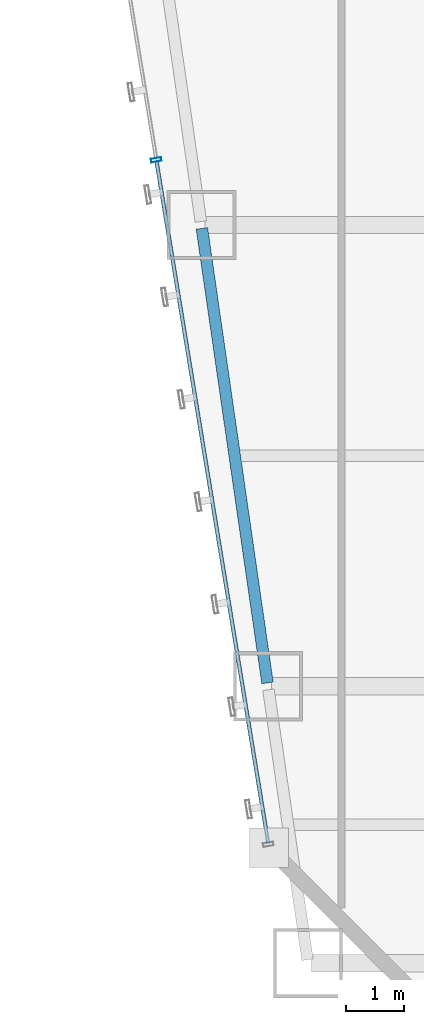
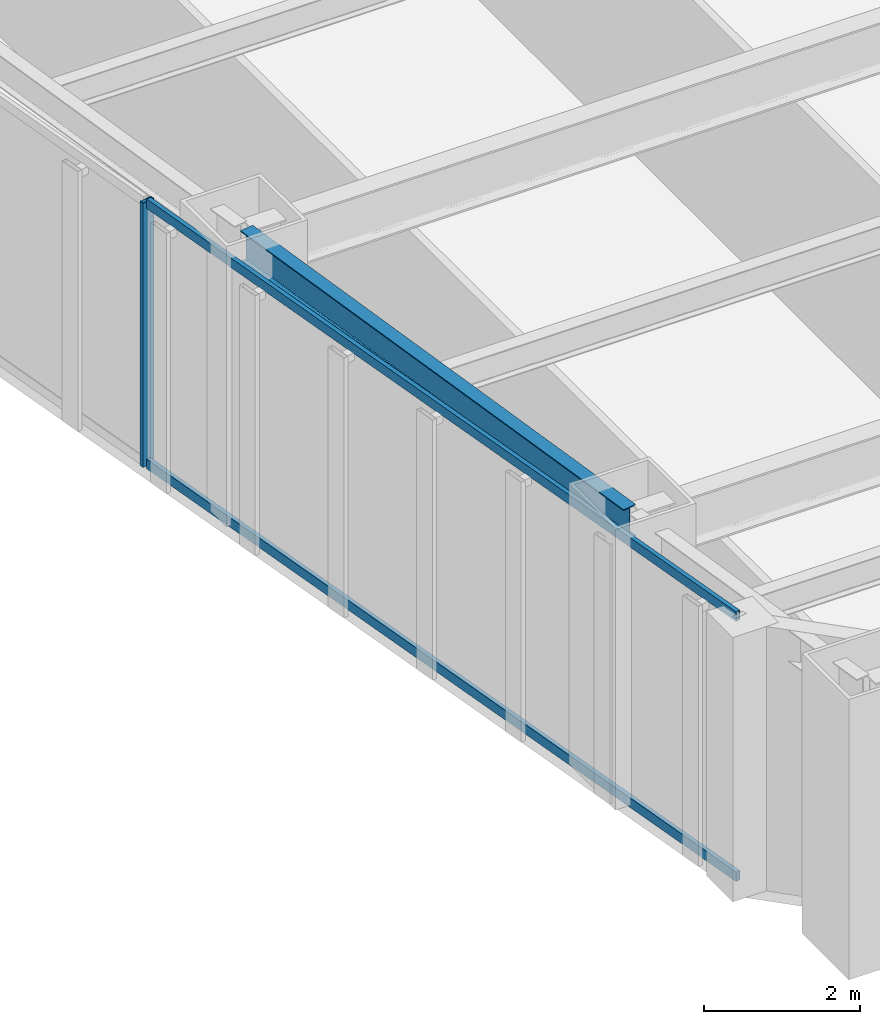
# One storey, part 5 of 47: 3 members, 1 beam, 1 element without a shape of its own.
"""IFC4 building model written with IfcOpenShell, lengths in metres."""

from ifc_helpers import new_model, si_unit, direction, frame, origin, origin_2d, place, context, subcontext, project, spatial, hollow_rectangle, i_section, extrude, material, material_profile, profile_set, type_object, element, aggregate, save


model = new_model("IFC4")

# Units and contexts
model_context = context("Model", 3, precision=1e-05, world=origin(), true_north=direction((0.0, 1.0)))
body_context = subcontext(model_context, "Body", "Model", "MODEL_VIEW")
ifc_project = project(units=[si_unit("LENGTHUNIT", "METRE"), si_unit("AREAUNIT", "SQUARE_METRE"), si_unit("VOLUMEUNIT", "CUBIC_METRE"), si_unit("PLANEANGLEUNIT", "RADIAN"), si_unit("MASSUNIT", "GRAM", prefix="KILO")], contexts=[model_context])

# Site, building, storey
site_placement = place(None, origin())
site = spatial("IfcSite", under=ifc_project, at=site_placement, CompositionType="ELEMENT")
building_placement = place(site_placement, origin())
building = spatial("IfcBuilding", under=site, at=building_placement, Name="Saevonmaru Cultural Tower", CompositionType="ELEMENT")
storey_placement = place(building_placement, frame((0.0, 0.0, 47.199951171875)))
storey = spatial("IfcBuildingStorey", under=building, at=storey_placement, Name="L09", CompositionType="ELEMENT", Elevation=47.199951171875)

# Beam
ifc_material_1 = material(Name="Steel SM355", Category="steel")
ifc_material_profile_1 = material_profile(ifc_material_1, i_section(OverallWidth=0.199951171875, OverallDepth=0.5, WebThickness=0.010009765625, FlangeThickness=0.01611328125, FilletRadius=0.02001953125, at=origin_2d()), Name="H-500x200x10x16")
ifc_profile_set_1 = profile_set([ifc_material_profile_1], Name="Steel SM355")
beam_type = type_object("IfcBeamType", Name="BM-SP-H500", PredefinedType="SPANDREL", material=ifc_profile_set_1)
beam_placement = place(storey_placement, frame((11.7744140625, 8.059326171875, 3.900146484375), z_axis=(-0.142871999001, 0.989741174197, 0.0), x_axis=(-0.989741174197, -0.142871999001, 0.0)))
element("IfcBeam", 1, at=beam_placement, inside=storey, type_object=beam_type, Name="L09 West Splayed Spandrel 2", PredefinedType="SPANDREL", context=body_context, shape_type="SweptSolid", body=[
    extrude(i_section(OverallWidth=0.199951171875, OverallDepth=0.5, WebThickness=0.010009765625, FlangeThickness=0.01611328125, FilletRadius=0.02001953125, at=origin_2d()), origin(), (0.0, 0.0, 1.0), 7.963134765625),
])

# Curtain wall, members
ifc_material_2 = material(Name="Satin Bronze Anodised Aluminium", Category="aluminium")
curtain_wall_type = type_object("IfcCurtainWallType", Name="CW-TYP-A", PredefinedType="NOTDEFINED", material=ifc_material_2)
curtain_wall_placement = place(storey_placement, origin())
curtain_wall = element("IfcCurtainWall", 2, at=curtain_wall_placement, inside=storey, type_object=curtain_wall_type, Name="L09 Unitised Curtain Wall E12", PredefinedType="NOTDEFINED")
ifc_material_profile_2 = material_profile(ifc_material_2, hollow_rectangle(XDim=0.06494140625, YDim=0.179931640625, WallThickness=0.00390625, at=origin_2d()), Name="ALU-MULL-180x65x4")
ifc_profile_set_2 = profile_set([ifc_material_profile_2], Name="Satin Bronze Anodised Aluminium")
member_type_1 = type_object("IfcMemberType", Name="ML-CW-180x65", PredefinedType="MULLION", material=ifc_profile_set_2)
member_1_placement = place(storey_placement, frame((9.84521484375, 17.129638671875, 0.0), z_axis=(0.0, 0.0, 1.0), x_axis=(0.161708868641, -0.986838508472, 0.0)))
member_1 = element("IfcMember", 3, at=member_1_placement, type_object=member_type_1, Name="CW-TW-L09-E12 mullion 4", PredefinedType="MULLION", context=body_context, shape_type="SweptSolid", body=[
    extrude(hollow_rectangle(XDim=0.06494140625, YDim=0.179931640625, WallThickness=0.00390625, at=origin_2d()), origin(), (0.0, 0.0, 1.0), 4.150146484375),
])
ifc_material_profile_3 = material_profile(ifc_material_2, hollow_rectangle(XDim=0.06494140625, YDim=0.14990234375, WallThickness=0.00390625, at=origin_2d()), Name="ALU-TRAN-150x65x4")
ifc_profile_set_3 = profile_set([ifc_material_profile_3], Name="Satin Bronze Anodised Aluminium")
member_type_2 = type_object("IfcMemberType", Name="TR-CW-150x65", PredefinedType="USERDEFINED", material=ifc_profile_set_3)
member_2_placement = place(storey_placement, frame((9.850341796875, 17.097412109375, 0.032470703125), z_axis=(0.161724530373, -0.986835941925, 0.0), x_axis=(0.986835941925, 0.161724530373, 0.0)))
member_2 = element("IfcMember", 4, at=member_2_placement, type_object=member_type_2, Name="CW-TW-L09-E12 transom 4.1", ObjectType="TRANSOM", PredefinedType="USERDEFINED", context=body_context, shape_type="SweptSolid", body=[
    extrude(hollow_rectangle(XDim=0.06494140625, YDim=0.14990234375, WallThickness=0.00390625, at=origin_2d()), origin(), (0.0, 0.0, 1.0), 11.963623046875),
])
member_3_placement = place(storey_placement, frame((9.850341796875, 17.097412109375, 4.117431640625), z_axis=(0.161724530373, -0.986835941925, 0.0), x_axis=(0.986835941925, 0.161724530373, 0.0)))
member_3 = element("IfcMember", 5, at=member_3_placement, type_object=member_type_2, Name="CW-TW-L09-E12 transom 4.2", ObjectType="TRANSOM", PredefinedType="USERDEFINED", context=body_context, shape_type="SweptSolid", body=[
    extrude(hollow_rectangle(XDim=0.06494140625, YDim=0.14990234375, WallThickness=0.00390625, at=origin_2d()), origin(), (0.0, 0.0, 1.0), 11.963623046875),
])
aggregate(curtain_wall, [member_1, member_2, member_3])

save(model, "model.ifc")
